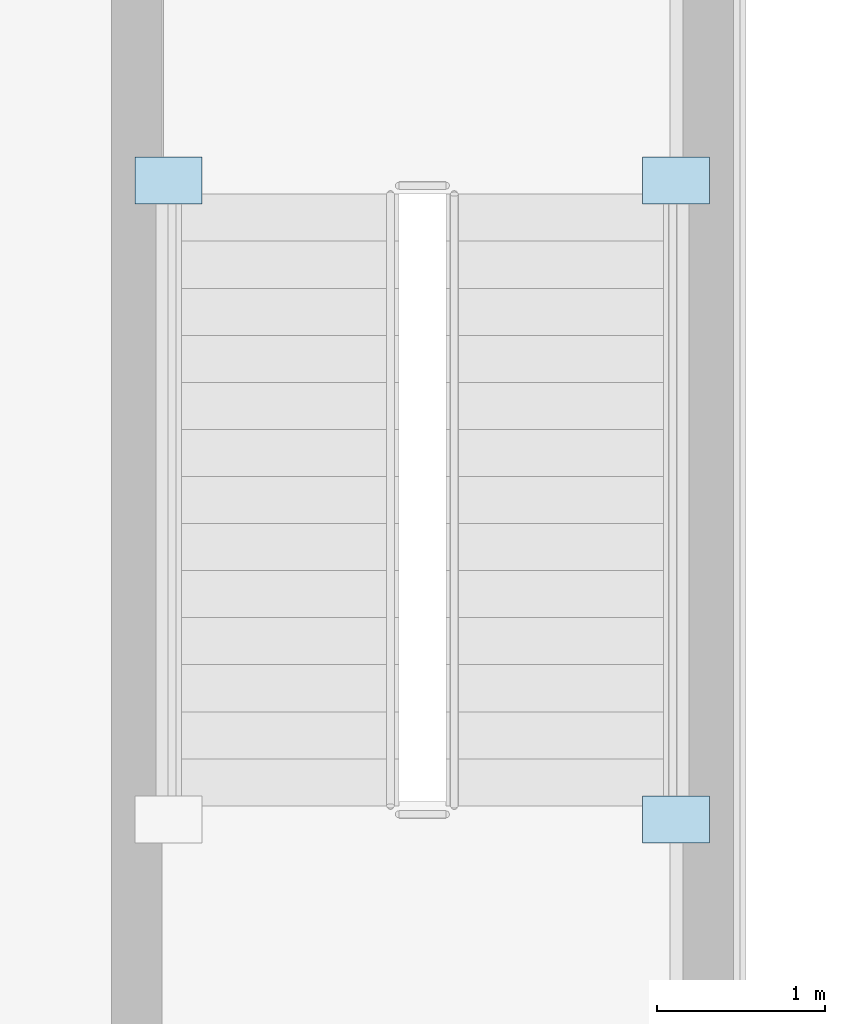
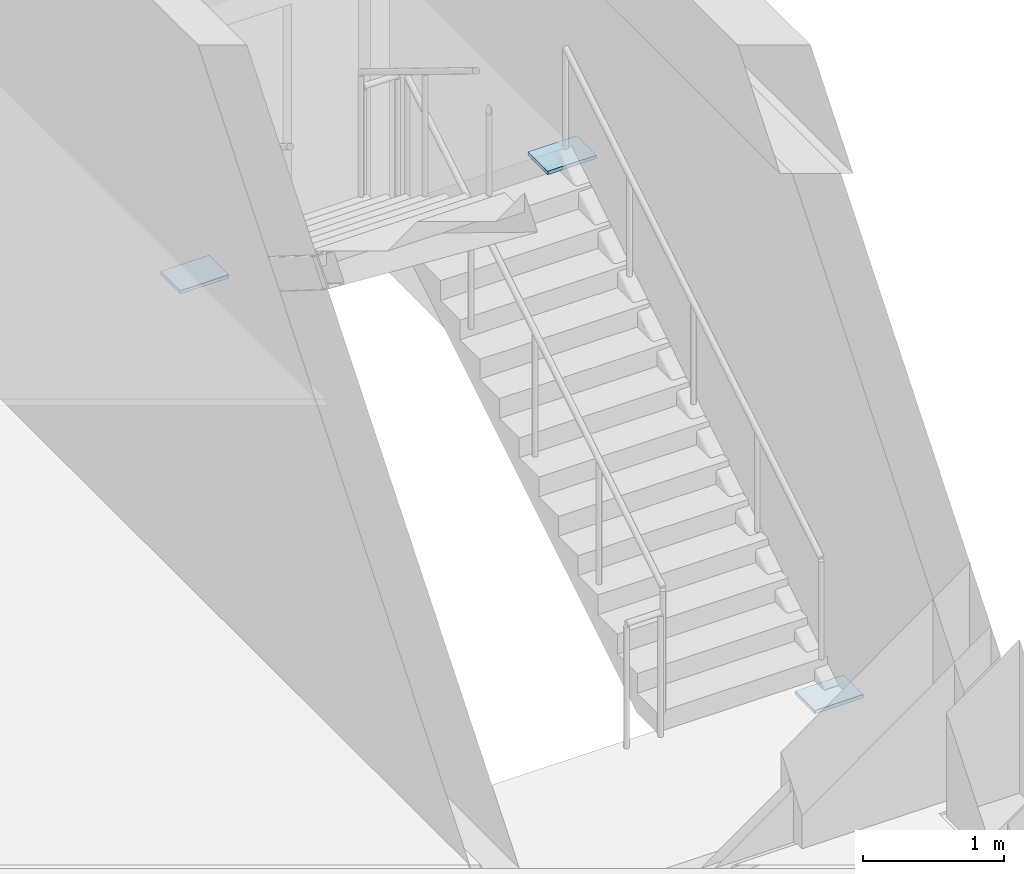
# One storey, part 30 of 58: 3 plates.
"""IFC4 building model written with IfcOpenShell, lengths in metres."""

from ifc_helpers import new_model, si_unit, direction, frame, origin, origin_2d, place, context, subcontext, project, spatial, rectangle, extrude, material, layer, layer_set, type_object, element, save


model = new_model("IFC4")

# Units and contexts
model_context = context("Model", 3, precision=1e-05, world=origin(), true_north=direction((0.0, 1.0)))
body_context = subcontext(model_context, "Body", "Model", "MODEL_VIEW")
ifc_project = project(units=[si_unit("LENGTHUNIT", "METRE"), si_unit("AREAUNIT", "SQUARE_METRE"), si_unit("VOLUMEUNIT", "CUBIC_METRE"), si_unit("PLANEANGLEUNIT", "RADIAN"), si_unit("MASSUNIT", "GRAM", prefix="KILO")], contexts=[model_context])

# Site, building, storey
site_placement = place(None, origin())
site = spatial("IfcSite", under=ifc_project, at=site_placement, CompositionType="ELEMENT")
building_placement = place(site_placement, origin())
building = spatial("IfcBuilding", under=site, at=building_placement, Name="Kemercrest Conservatory and Botanical Centre", CompositionType="ELEMENT")
storey_placement = place(building_placement, origin())
storey = spatial("IfcBuildingStorey", under=building, at=storey_placement, Name="L00", CompositionType="ELEMENT", Elevation=0.0)

# Plates
ifc_material = material(Name="Steel CSA G40.21 350W", Category="steel")
ifc_layer = layer(ifc_material, 0.030029296875)
ifc_layer_set = layer_set([ifc_layer], Name="Steel CSA G40.21 350W")
plate_type = type_object("IfcPlateType", Name="GN-05", PredefinedType="USERDEFINED", material=ifc_layer_set)
for number, where, z_axis, x_axis, name in (
    (1, (100.2099609375, 36.56005859375, -0.115234375), (0.0, 0.0, 1.0), (1.0, 0.0, 0.0), "Stair stringer base node cap GN-05 #17"),
    (2, (100.2099609375, 40.360107421875, 2.26513671875), (0.0, 0.0, 1.0), (1.0, 0.0, 0.0), "Stair stringer head node cap GN-05 #17"),
    (3, (97.18994140625, 40.360107421875, 2.28515625), (0.0, 0.0, 1.0), (1.0, 0.0, 0.0), "Stair stringer head node cap GN-05 #18"),
):
    element("IfcPlate", number, at=place(storey_placement, frame(where, z_axis=z_axis, x_axis=x_axis)), inside=storey, type_object=plate_type, Name=name, ObjectType="GUSSET PLATE", PredefinedType="USERDEFINED", context=body_context, shape_type="SweptSolid", body=[
        extrude(rectangle(XDim=0.39990234375, YDim=0.280029296875, at=origin_2d()), origin(), (0.0, 0.0, 1.0), 0.030029296875),
    ])

save(model, "model.ifc")
